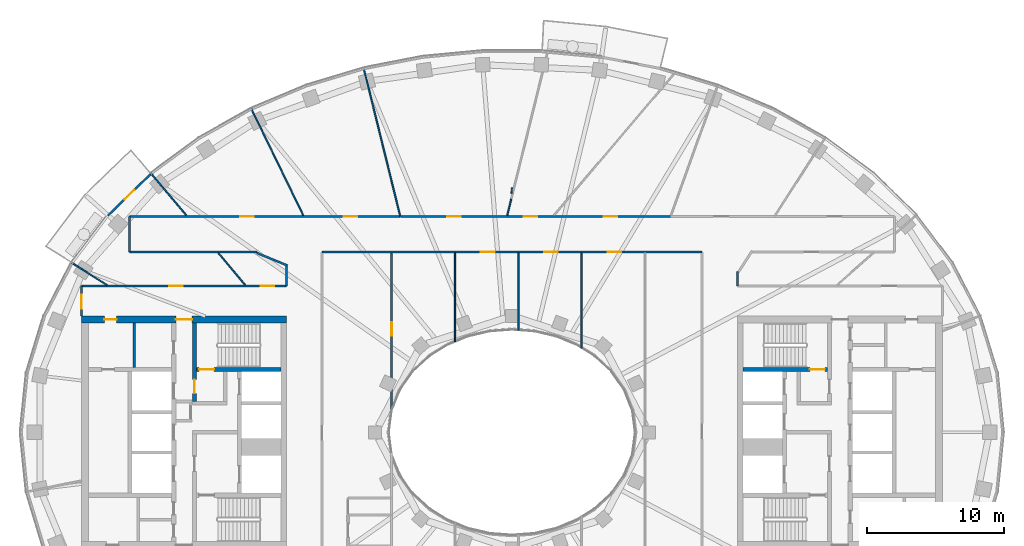
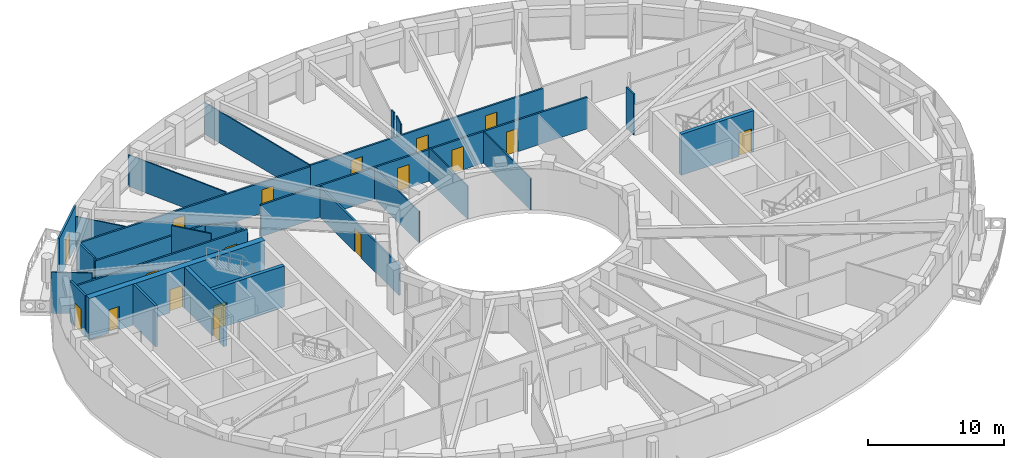
# One storey, part 6 of 16: 27 walls, 18 doors, 18 openings.
"""IFC4 building model written with IfcOpenShell, lengths in metres."""

import ifcopenshell
import ifcopenshell.guid

model = None  # the IFC model being written
_history = None  # IfcOwnerHistory: only IFC2X3 demands one
_inside = {}  # id of a spatial element -> (the spatial element, [elements in it])
_under = {}  # id of a project, library or spatial element -> (it, [spatial elements below it])
_declared = {}  # id of a project -> (the project, [libraries it declares])
_typed = {}  # id of a type object -> (the type object, [elements of that type])
_made_of = {}  # id of a material, layer set ... -> (it, [elements and type objects made of it])


def new_model(schema):
    """Start an empty IFC model of exactly this schema.

    Asked for "IFC4X3", IfcOpenShell would pick the latest addendum, in which some entities
    have other attributes; the version numbers below select the first issue.
    IFC2X3 requires an IfcOwnerHistory on every rooted entity: one is made here for all.
    """
    global model, _history
    if schema == "IFC4X3":
        model = ifcopenshell.file(schema_version=(4, 3, 0, 0))
    else:
        model = ifcopenshell.file(schema=schema)
    _inside.clear()
    _under.clear()
    _declared.clear()
    _typed.clear()
    _made_of.clear()
    _history = None
    if model.schema == "IFC2X3":
        org = make("IfcOrganization", Name="unknown")
        user = make(
            "IfcPersonAndOrganization",
            ThePerson=make("IfcPerson", FamilyName="unknown"),
            TheOrganization=org,
        )
        app = make(
            "IfcApplication",
            ApplicationDeveloper=org,
            Version="unknown",
            ApplicationFullName="unknown",
            ApplicationIdentifier="unknown",
        )
        _history = make(
            "IfcOwnerHistory",
            OwningUser=user,
            OwningApplication=app,
            ChangeAction="ADDED",
            CreationDate=0,
        )
    return model


def make(cls, **values):
    """One entity of the class cls with the attributes given. An attribute that is None is left unset."""
    return model.create_entity(
        cls, **{name: value for name, value in values.items() if value is not None}
    )


def rooted(cls, **values):
    """An entity with a GlobalId (a new one), such as an element, a storey or a relation."""
    return make(cls, GlobalId=ifcopenshell.guid.new(), OwnerHistory=_history, **values)


def si_unit(unit_type, name, prefix=None):
    """IfcSIUnit, for example si_unit("LENGTHUNIT", "METRE", prefix="MILLI")."""
    return make("IfcSIUnit", UnitType=unit_type, Prefix=prefix, Name=name)


def assignment(units):
    """IfcUnitAssignment: the units of a project."""
    return None if units is None else make("IfcUnitAssignment", Units=units)


def point(xyz):
    """IfcCartesianPoint."""
    return None if xyz is None else make("IfcCartesianPoint", Coordinates=xyz)


def direction(xyz):
    """IfcDirection."""
    return None if xyz is None else make("IfcDirection", DirectionRatios=xyz)


def frame(location, z_axis=None, x_axis=None):
    """IfcAxis2Placement3D, a coordinate frame: its origin and axes. An axis left out is left unset."""
    return make(
        "IfcAxis2Placement3D",
        Location=point(location),
        Axis=direction(z_axis),
        RefDirection=direction(x_axis),
    )


def frame_2d(location, x_axis=None):
    """IfcAxis2Placement2D, a coordinate frame in the plane: its origin and x axis."""
    return make(
        "IfcAxis2Placement2D", Location=point(location), RefDirection=direction(x_axis)
    )


def origin():
    """The frame at (0, 0, 0) with its axes left unset."""
    return frame((0.0, 0.0, 0.0))


def place(relative_to, where):
    """IfcLocalPlacement: puts the frame where relative to a parent placement (None: the world)."""
    return make(
        "IfcLocalPlacement", PlacementRelTo=relative_to, RelativePlacement=where
    )


def context(
    kind, dimensions, precision=None, world=None, true_north=None, identifier=None
):
    """IfcGeometricRepresentationContext, for example the 3D "Model" context."""
    return make(
        "IfcGeometricRepresentationContext",
        ContextIdentifier=identifier,
        ContextType=kind,
        CoordinateSpaceDimension=dimensions,
        Precision=precision,
        WorldCoordinateSystem=world,
        TrueNorth=true_north,
    )


def subcontext(parent, identifier, kind, view, scale=None):
    """IfcGeometricRepresentationSubContext, for example "Body" below "Model"."""
    return make(
        "IfcGeometricRepresentationSubContext",
        ContextIdentifier=identifier,
        ContextType=kind,
        ParentContext=parent,
        TargetScale=scale,
        TargetView=view,
    )


def project(units=None, contexts=None):
    """IfcProject with its units and contexts."""
    return rooted(
        "IfcProject",
        Name="project",
        RepresentationContexts=contexts,
        UnitsInContext=assignment(units),
    )


def spatial(cls, under=None, at=None, **own):
    """A site, building, storey or space (cls), placed at a placement, below another one or the project."""
    s = rooted(cls, ObjectPlacement=at, **own)
    if under is not None:
        _under.setdefault(under.id(), (under, []))[1].append(s)
    return s


def profile(cls, at=None, kind="AREA", **sizes):
    """A parametric profile (cls). Its sizes go by their IFC names, for example OverallWidth=200.0."""
    return make(cls, ProfileType=kind, Position=at, **sizes)


def rectangle(**sizes):
    """IfcRectangleProfileDef."""
    return profile("IfcRectangleProfileDef", **sizes)


def extrude(swept, where, along, depth):
    """IfcExtrudedAreaSolid: the profile swept, set in the frame where, extruded along a direction by depth."""
    return make(
        "IfcExtrudedAreaSolid",
        SweptArea=swept,
        Position=where,
        ExtrudedDirection=direction(along),
        Depth=depth,
    )


def shape(context_of_items, identifier, shape_type, items):
    """IfcShapeRepresentation: the items that make up one representation, for example the "Body"."""
    return make(
        "IfcShapeRepresentation",
        ContextOfItems=context_of_items,
        RepresentationIdentifier=identifier,
        RepresentationType=shape_type,
        Items=items,
    )


def material(Name=None, Category=None):
    """IfcMaterial."""
    return make("IfcMaterial", Name=Name, Category=Category)


def layer(
    of_material, thickness, ventilated=None, Name=None, Category=None, Priority=None
):
    """IfcMaterialLayer: one layer of a wall or slab, of a material (None: an air gap)."""
    return make(
        "IfcMaterialLayer",
        Material=of_material,
        LayerThickness=thickness,
        IsVentilated=ventilated,
        Name=Name,
        Category=Category,
        Priority=Priority,
    )


def layer_set(layers, Name=None):
    """IfcMaterialLayerSet."""
    return make("IfcMaterialLayerSet", MaterialLayers=layers, LayerSetName=Name)


def made_of(thing, what):
    """Note that an element or type object is made of a material, layer set ...; save() writes the relation."""
    if what is not None:
        _made_of.setdefault(what.id(), (what, []))[1].append(thing)
    return thing


def type_object(cls, material=None, **own):
    """A type object (cls), such as IfcWallType, which elements share."""
    return made_of(rooted(cls, **own), material)


def element(
    cls,
    number,
    at=None,
    inside=None,
    cuts=None,
    type_object=None,
    material=None,
    context=None,
    identifier="Body",
    shape_type=None,
    held_by="IfcProductDefinitionShape",
    body=None,
    shapes=None,
    **own,
):
    """One element of the class cls, such as IfcWall. Its Tag is "e" and its number.

    at: its placement. inside: the storey or other place that contains it. cuts: it is an
    opening in that element (IfcRelVoidsElement). A single representation is given by context,
    identifier, shape_type and body (its items); several are given by shapes. held_by: the class
    of the entity that holds the representations. save() writes the other relations.
    """
    e = rooted(cls, Tag="e%d" % number, ObjectPlacement=at, **own)
    if body is not None:
        shapes = [shape(context, identifier, shape_type, body)]
    if shapes is not None:
        e.Representation = make(held_by, Representations=shapes)
    if inside is not None:
        _inside.setdefault(inside.id(), (inside, []))[1].append(e)
    if cuts is not None:
        rooted(
            "IfcRelVoidsElement", RelatingBuildingElement=cuts, RelatedOpeningElement=e
        )
    if type_object is not None:
        _typed.setdefault(type_object.id(), (type_object, []))[1].append(e)
    return made_of(e, material)


def fill(opening, filler):
    """IfcRelFillsElement: the door or window that sits in an opening."""
    return rooted(
        "IfcRelFillsElement",
        RelatingOpeningElement=opening,
        RelatedBuildingElement=filler,
    )


def aggregate(whole, parts):
    """IfcRelAggregates: a whole, such as a stair, and the parts it consists of."""
    return rooted("IfcRelAggregates", RelatingObject=whole, RelatedObjects=parts)


def save(model, path):
    """Write the relations noted so far, then the file.

    IfcRelAggregates (storeys below a building ...), IfcRelContainedInSpatialStructure (elements
    in a storey), IfcRelDefinesByType, IfcRelAssociatesMaterial and IfcRelDeclares: one each for
    every whole, place, type object, material and project.
    """
    for whole, parts in _under.values():
        aggregate(whole, parts)
    for where, things in _inside.values():
        rooted(
            "IfcRelContainedInSpatialStructure",
            RelatedElements=things,
            RelatingStructure=where,
        )
    for kind, things in _typed.values():
        rooted("IfcRelDefinesByType", RelatedObjects=things, RelatingType=kind)
    for what, things in _made_of.values():
        rooted("IfcRelAssociatesMaterial", RelatedObjects=things, RelatingMaterial=what)
    for by, libraries in _declared.values():
        rooted("IfcRelDeclares", RelatingContext=by, RelatedDefinitions=libraries)
    model.write(path)


model = new_model("IFC4")

# Units and contexts
model_context = context("Model", 3, precision=1e-05, world=origin(), true_north=direction((0.0, 1.0)))
body_context = subcontext(model_context, "Body", "Model", "MODEL_VIEW")
ifc_project = project(units=[si_unit("LENGTHUNIT", "METRE"), si_unit("AREAUNIT", "SQUARE_METRE"), si_unit("VOLUMEUNIT", "CUBIC_METRE"), si_unit("PLANEANGLEUNIT", "RADIAN"), si_unit("MASSUNIT", "GRAM", prefix="KILO")], contexts=[model_context])

# Site, building, storey
site_placement = place(None, origin())
site = spatial("IfcSite", under=ifc_project, at=site_placement, CompositionType="ELEMENT")
building_placement = place(site_placement, origin())
building = spatial("IfcBuilding", under=site, at=building_placement, Name="Noorbagh Ring Tower", CompositionType="ELEMENT")
storey_placement = place(building_placement, frame((0.0, 0.0, 273.5)))
storey = spatial("IfcBuildingStorey", under=building, at=storey_placement, Name="L58", CompositionType="ELEMENT", Elevation=273.5)

# Wall
ifc_material_1 = material(Name="Gypsum board on steel studs", Category="steel")
ifc_layer_1 = layer(ifc_material_1, 0.199951171875)
ifc_layer_set_1 = layer_set([ifc_layer_1], Name="Gypsum board on steel studs")
wall_type_1 = type_object("IfcWallType", Name="CORE-PARTITION-200", PredefinedType="PARTITIONING", material=ifc_layer_set_1)
wall_1_placement = place(storey_placement, frame((-27.64990234375, 4.75, 0.0), z_axis=(0.0, 0.0, 1.0), x_axis=(0.0, 1.0, 0.0)))
element("IfcWall", 1, at=wall_1_placement, inside=storey, type_object=wall_type_1, Name="Core partition W", PredefinedType="PARTITIONING", context=body_context, shape_type="SweptSolid", body=[
    extrude(rectangle(XDim=3.25, YDim=0.199951171875, at=frame_2d((1.625, 0.0))), origin(), (0.0, 0.0, 1.0), 3.699951171875),
])

# Wall, opening, door
ifc_material_2 = material(Name="Concrete C60/75", Category="concrete")
ifc_layer_2 = layer(ifc_material_2, 0.300048828125)
ifc_layer_set_2 = layer_set([ifc_layer_2], Name="Concrete C60/75")
wall_type_2 = type_object("IfcWallType", Name="CORE-WALL-300-C60-75-EI240", PredefinedType="SHEAR", material=ifc_layer_set_2)
wall_2_placement = place(storey_placement, frame((-23.22998046875, 2.25, 0.0), z_axis=(0.0, 0.0, 1.0), x_axis=(0.0, 1.0, 0.0)))
wall_2 = element("IfcWall", 2, at=wall_2_placement, inside=storey, type_object=wall_type_2, Name="Core wall W", PredefinedType="SHEAR", context=body_context, shape_type="SweptSolid", body=[
    extrude(rectangle(XDim=5.75, YDim=0.300048828125, at=frame_2d((2.875, 0.0))), origin(), (0.0, 0.0, 1.0), 3.699951171875),
])
opening_1_placement = place(wall_2_placement, frame((0.60009765625, 0.0, 0.0)))
opening_1 = element("IfcOpeningElement", 3, at=opening_1_placement, cuts=wall_2, Name="Opening L58-CW09", PredefinedType="OPENING", context=body_context, shape_type="SweptSolid", body=[
    extrude(rectangle(XDim=1.0, YDim=2.10009765625, at=frame_2d((0.5, 1.050048828125))), frame((0.0, 0.16015625, 0.0), z_axis=(0.0, -1.0, 0.0), x_axis=(1.0, 0.0, 0.0)), (0.0, 0.0, 1.0), 0.320068359375),
])
ifc_material_3 = material(Name="Steel door leaf", Category="steel")
door_type_1 = type_object("IfcDoorType", Name="CORE-DOOR-DVEST", OperationType="SINGLE_SWING_LEFT", PredefinedType="DOOR", material=ifc_material_3)
door_1_placement = place(opening_1_placement, origin())
door_1 = element("IfcDoor", 4, at=door_1_placement, inside=storey, type_object=door_type_1, Name="Stair vestibule door L58-CW09", OperationType="SINGLE_SWING_LEFT", OverallHeight=2.10009765625, OverallWidth=1.0, PredefinedType="DOOR", context=body_context, shape_type="SweptSolid", body=[
    extrude(rectangle(XDim=1.0, YDim=2.10009765625, at=frame_2d((0.5, 1.050048828125))), frame((0.0, 0.02490234375, 0.0), z_axis=(0.0, -1.0, 0.0), x_axis=(1.0, 0.0, 0.0)), (0.0, 0.0, 1.0), 0.050048828125),
])
fill(opening_1, door_1)

wall_3_placement = place(storey_placement, frame((-16.89990234375, 4.60009765625, 0.0), z_axis=(0.0, 0.0, 1.0), x_axis=(-1.0, 0.0, 0.0)))
wall_3 = element("IfcWall", 5, at=wall_3_placement, inside=storey, type_object=wall_type_2, Name="Core wall W", PredefinedType="SHEAR", context=body_context, shape_type="SweptSolid", body=[
    extrude(rectangle(XDim=6.18017578125, YDim=0.300048828125, at=frame_2d((3.090087890625, 0.0))), origin(), (0.0, 0.0, 1.0), 3.699951171875),
])
opening_2_placement = place(wall_3_placement, frame((4.89990234375, 0.0, 0.0)))
opening_2 = element("IfcOpeningElement", 6, at=opening_2_placement, cuts=wall_3, Name="Opening L58-CW06", PredefinedType="OPENING", context=body_context, shape_type="SweptSolid", body=[
    extrude(rectangle(XDim=1.10009765625, YDim=2.10009765625, at=frame_2d((0.550048828125, 1.050048828125))), frame((0.0, 0.16015625, 0.0), z_axis=(0.0, -1.0, 0.0), x_axis=(1.0, 0.0, 0.0)), (0.0, 0.0, 1.0), 0.320068359375),
])
ifc_material_4 = material(Name="Steel door leaf", Category="steel")
door_type_2 = type_object("IfcDoorType", Name="CORE-DOOR-DSTAIR", OperationType="SINGLE_SWING_LEFT", PredefinedType="DOOR", material=ifc_material_4)
door_2_placement = place(opening_2_placement, origin())
door_2 = element("IfcDoor", 7, at=door_2_placement, inside=storey, type_object=door_type_2, Name="Stair door ST1 L58-CW06", OperationType="SINGLE_SWING_RIGHT", OverallHeight=2.10009765625, OverallWidth=1.10009765625, PredefinedType="DOOR", context=body_context, shape_type="SweptSolid", body=[
    extrude(rectangle(XDim=1.10009765625, YDim=2.10009765625, at=frame_2d((0.550048828125, 1.050048828125))), frame((0.0, 0.02490234375, 0.0), z_axis=(0.0, -1.0, 0.0), x_axis=(1.0, 0.0, 0.0)), (0.0, 0.0, 1.0), 0.050048828125),
])
fill(opening_2, door_2)

wall_4_placement = place(storey_placement, frame((16.89990234375, 4.60009765625, 0.0), z_axis=(0.0, 0.0, 1.0), x_axis=(1.0, 0.0, 0.0)))
wall_4 = element("IfcWall", 8, at=wall_4_placement, inside=storey, type_object=wall_type_2, Name="Core wall E", PredefinedType="SHEAR", context=body_context, shape_type="SweptSolid", body=[
    extrude(rectangle(XDim=6.18017578125, YDim=0.300048828125, at=frame_2d((3.090087890625, 0.0))), origin(), (0.0, 0.0, 1.0), 3.699951171875),
])
opening_3_placement = place(wall_4_placement, frame((4.89990234375, 0.0, 0.0)))
opening_3 = element("IfcOpeningElement", 9, at=opening_3_placement, cuts=wall_4, Name="Opening L58-CE07", PredefinedType="OPENING", context=body_context, shape_type="SweptSolid", body=[
    extrude(rectangle(XDim=1.10009765625, YDim=2.10009765625, at=frame_2d((0.550048828125, 1.050048828125))), frame((0.0, 0.16015625, 0.0), z_axis=(0.0, -1.0, 0.0), x_axis=(1.0, 0.0, 0.0)), (0.0, 0.0, 1.0), 0.320068359375),
])
door_3_placement = place(opening_3_placement, origin())
door_3 = element("IfcDoor", 10, at=door_3_placement, inside=storey, type_object=door_type_2, Name="Stair door ST3 L58-CE07", OperationType="SINGLE_SWING_LEFT", OverallHeight=2.10009765625, OverallWidth=1.10009765625, PredefinedType="DOOR", context=body_context, shape_type="SweptSolid", body=[
    extrude(rectangle(XDim=1.10009765625, YDim=2.10009765625, at=frame_2d((0.550048828125, 1.050048828125))), frame((0.0, 0.02490234375, 0.0), z_axis=(0.0, -1.0, 0.0), x_axis=(1.0, 0.0, 0.0)), (0.0, 0.0, 1.0), 0.050048828125),
])
fill(opening_3, door_3)

# Wall, openings, doors
ifc_material_5 = material(Name="Concrete C60/75", Category="concrete")
ifc_layer_3 = layer(ifc_material_5, 0.5)
ifc_layer_set_3 = layer_set([ifc_layer_3], Name="Concrete C60/75")
wall_type_3 = type_object("IfcWallType", Name="CORE-WALL-500-C60-75-EI240", PredefinedType="SHEAR", material=ifc_layer_set_3)
wall_5_placement = place(storey_placement, frame((-16.5, 8.25, 0.0), z_axis=(0.0, 0.0, 1.0), x_axis=(-1.0, 0.0, 0.0)))
wall_5 = element("IfcWall", 11, at=wall_5_placement, inside=storey, type_object=wall_type_3, Name="Core wall W", PredefinedType="SHEAR", context=body_context, shape_type="SweptSolid", body=[
    extrude(rectangle(XDim=15.0, YDim=0.5, at=frame_2d((7.5, 0.0))), origin(), (0.0, 0.0, 1.0), 3.699951171875),
])
opening_4_placement = place(wall_5_placement, frame((6.89990234375, 0.0, 0.0)))
opening_4 = element("IfcOpeningElement", 12, at=opening_4_placement, cuts=wall_5, Name="Opening L58-CW10", PredefinedType="OPENING", context=body_context, shape_type="SweptSolid", body=[
    extrude(rectangle(XDim=1.199951171875, YDim=2.10009765625, at=frame_2d((0.60009765625, 1.050048828125))), frame((0.0, 0.260009765625, 0.0), z_axis=(0.0, -1.0, 0.0), x_axis=(1.0, 0.0, 0.0)), (0.0, 0.0, 1.0), 0.52001953125),
])
opening_5_placement = place(wall_5_placement, frame((12.425048828125, 0.0, 0.0)))
opening_5 = element("IfcOpeningElement", 13, at=opening_5_placement, cuts=wall_5, Name="Opening L58-CW13", PredefinedType="OPENING", context=body_context, shape_type="SweptSolid", body=[
    extrude(rectangle(XDim=0.89990234375, YDim=2.10009765625, at=frame_2d((0.449951171875, 1.050048828125))), frame((0.0, 0.260009765625, 0.0), z_axis=(0.0, -1.0, 0.0), x_axis=(1.0, 0.0, 0.0)), (0.0, 0.0, 1.0), 0.52001953125),
])
ifc_material_6 = material(Name="Steel door leaf", Category="steel")
door_type_3 = type_object("IfcDoorType", Name="CORE-DOOR-DROOM", OperationType="SINGLE_SWING_LEFT", PredefinedType="DOOR", material=ifc_material_6)
door_4_placement = place(opening_5_placement, origin())
door_4 = element("IfcDoor", 14, at=door_4_placement, inside=storey, type_object=door_type_3, Name="Core room door L58-CW13", OperationType="SINGLE_SWING_RIGHT", OverallHeight=2.10009765625, OverallWidth=0.89990234375, PredefinedType="DOOR", context=body_context, shape_type="SweptSolid", body=[
    extrude(rectangle(XDim=0.89990234375, YDim=2.10009765625, at=frame_2d((0.449951171875, 1.050048828125))), frame((0.0, 0.02490234375, 0.0), z_axis=(0.0, -1.0, 0.0), x_axis=(1.0, 0.0, 0.0)), (0.0, 0.0, 1.0), 0.050048828125),
])
fill(opening_5, door_4)
ifc_material_7 = material(Name="Steel door leaf", Category="steel")
door_type_4 = type_object("IfcDoorType", Name="CORE-DOOR-PORT", OperationType="DOUBLE_DOOR_DOUBLE_SWING", PredefinedType="DOOR", material=ifc_material_7)
door_5_placement = place(opening_4_placement, origin())
door_5 = element("IfcDoor", 15, at=door_5_placement, inside=storey, type_object=door_type_4, Name="Core entrance door L58-CW10", OperationType="DOUBLE_DOOR_DOUBLE_SWING", OverallHeight=2.10009765625, OverallWidth=1.199951171875, PredefinedType="DOOR", context=body_context, shape_type="SweptSolid", body=[
    extrude(rectangle(XDim=1.199951171875, YDim=2.10009765625, at=frame_2d((0.60009765625, 1.050048828125))), frame((0.0, 0.02490234375, 0.0), z_axis=(0.0, -1.0, 0.0), x_axis=(1.0, 0.0, 0.0)), (0.0, 0.0, 1.0), 0.050048828125),
])
fill(opening_4, door_5)

# Wall, opening, door
ifc_material_8 = material(Name="Gypsum board on steel studs", Category="steel")
ifc_layer_4 = layer(ifc_material_8, 0.14990234375)
ifc_layer_set_4 = layer_set([ifc_layer_4], Name="Gypsum board on steel studs")
wall_type_4 = type_object("IfcWallType", Name="CORRIDOR PARTITION 150 EI 30", PredefinedType="PARTITIONING", material=ifc_layer_set_4)
wall_6_placement = place(storey_placement, frame((-31.5, 8.5, 0.0), z_axis=(0.0, 0.0, 1.0), x_axis=(0.0, 1.0, 0.0)))
wall_6 = element("IfcWall", 16, at=wall_6_placement, inside=storey, type_object=wall_type_4, Name="L58/wall/P06", PredefinedType="PARTITIONING", context=body_context, shape_type="SweptSolid", body=[
    extrude(rectangle(XDim=2.199951171875, YDim=0.14990234375, at=frame_2d((1.10009765625, 0.0))), origin(), (0.0, 0.0, 1.0), 3.699951171875),
])
opening_6_placement = place(wall_6_placement, frame((0.550048828125, 0.0, 0.0)))
opening_6 = element("IfcOpeningElement", 17, at=opening_6_placement, cuts=wall_6, Name="Opening D1", PredefinedType="OPENING", context=body_context, shape_type="SweptSolid", body=[
    extrude(rectangle(XDim=1.0, YDim=2.10009765625, at=frame_2d((0.5, 1.050048828125))), frame((0.0, 0.0849609375, 0.0), z_axis=(0.0, -1.0, 0.0), x_axis=(1.0, 0.0, 0.0)), (0.0, 0.0, 1.0), 0.169921875),
])
ifc_material_9 = material(Name="Timber, painted", Category="wood")
door_type_5 = type_object("IfcDoorType", Name="DOOR 1000 X 2100 FD30", OperationType="SINGLE_SWING_LEFT", PredefinedType="DOOR", material=ifc_material_9)
door_6_placement = place(opening_6_placement, origin())
door_6 = element("IfcDoor", 18, at=door_6_placement, inside=storey, type_object=door_type_5, Name="L58-D07", OperationType="SINGLE_SWING_LEFT", OverallHeight=2.10009765625, OverallWidth=1.0, PredefinedType="DOOR", context=body_context, shape_type="SweptSolid", body=[
    extrude(rectangle(XDim=1.0, YDim=2.10009765625, at=frame_2d((0.5, 1.050048828125))), frame((0.0, 0.02490234375, 0.0), z_axis=(0.0, -1.0, 0.0), x_axis=(1.0, 0.0, 0.0)), (0.0, 0.0, 1.0), 0.050048828125),
])
fill(opening_6, door_6)

# Wall, openings, doors
wall_7_placement = place(storey_placement, frame((-31.5, 10.699951171875, 0.0), z_axis=(0.0, 0.0, 1.0), x_axis=(1.0, 0.0, 0.0)))
wall_7 = element("IfcWall", 19, at=wall_7_placement, inside=storey, type_object=wall_type_4, Name="L58/wall/P07", PredefinedType="PARTITIONING", context=body_context, shape_type="SweptSolid", body=[
    extrude(rectangle(XDim=15.0, YDim=0.14990234375, at=frame_2d((7.5, 0.0))), origin(), (0.0, 0.0, 1.0), 3.10009765625),
])
opening_7_placement = place(wall_7_placement, frame((6.405029296875, 0.0, 0.0)))
opening_7 = element("IfcOpeningElement", 20, at=opening_7_placement, cuts=wall_7, Name="Opening D1", PredefinedType="OPENING", context=body_context, shape_type="SweptSolid", body=[
    extrude(rectangle(XDim=1.0, YDim=2.10009765625, at=frame_2d((0.5, 1.050048828125))), frame((0.0, 0.0849609375, 0.0), z_axis=(0.0, -1.0, 0.0), x_axis=(1.0, 0.0, 0.0)), (0.0, 0.0, 1.0), 0.169921875),
])
opening_8_placement = place(wall_7_placement, frame((13.10009765625, 0.0, 0.0)))
opening_8 = element("IfcOpeningElement", 21, at=opening_8_placement, cuts=wall_7, Name="Opening D1", PredefinedType="OPENING", context=body_context, shape_type="SweptSolid", body=[
    extrude(rectangle(XDim=1.0, YDim=2.10009765625, at=frame_2d((0.5, 1.050048828125))), frame((0.0, 0.0849609375, 0.0), z_axis=(0.0, -1.0, 0.0), x_axis=(1.0, 0.0, 0.0)), (0.0, 0.0, 1.0), 0.169921875),
])
door_7_placement = place(opening_7_placement, origin())
door_7 = element("IfcDoor", 22, at=door_7_placement, inside=storey, type_object=door_type_5, Name="L58-D09", OperationType="SINGLE_SWING_LEFT", OverallHeight=2.10009765625, OverallWidth=1.0, PredefinedType="DOOR", context=body_context, shape_type="SweptSolid", body=[
    extrude(rectangle(XDim=1.0, YDim=2.10009765625, at=frame_2d((0.5, 1.050048828125))), frame((0.0, 0.02490234375, 0.0), z_axis=(0.0, -1.0, 0.0), x_axis=(1.0, 0.0, 0.0)), (0.0, 0.0, 1.0), 0.050048828125),
])
fill(opening_7, door_7)
door_8_placement = place(opening_8_placement, origin())
door_8 = element("IfcDoor", 23, at=door_8_placement, inside=storey, type_object=door_type_5, Name="L58-D13", OperationType="SINGLE_SWING_LEFT", OverallHeight=2.10009765625, OverallWidth=1.0, PredefinedType="DOOR", context=body_context, shape_type="SweptSolid", body=[
    extrude(rectangle(XDim=1.0, YDim=2.10009765625, at=frame_2d((0.5, 1.050048828125))), frame((0.0, 0.02490234375, 0.0), z_axis=(0.0, -1.0, 0.0), x_axis=(1.0, 0.0, 0.0)), (0.0, 0.0, 1.0), 0.050048828125),
])
fill(opening_8, door_8)

# Walls
wall_8_placement = place(storey_placement, frame((-28.0, 13.199951171875, 0.0), z_axis=(0.0, 0.0, 1.0), x_axis=(0.0, 1.0, 0.0)))
element("IfcWall", 24, at=wall_8_placement, inside=storey, type_object=wall_type_4, Name="L58/wall/P11", PredefinedType="PARTITIONING", context=body_context, shape_type="SweptSolid", body=[
    extrude(rectangle(XDim=2.60009765625, YDim=0.14990234375, at=frame_2d((1.300048828125, 0.0))), origin(), (0.0, 0.0, 1.0), 3.0),
])
wall_9_placement = place(storey_placement, frame((-28.0, 13.199951171875, 0.0), z_axis=(0.0, 0.0, 1.0), x_axis=(1.0, 0.0, 0.0)))
element("IfcWall", 25, at=wall_9_placement, inside=storey, type_object=wall_type_4, Name="L58/wall/P12", PredefinedType="PARTITIONING", context=body_context, shape_type="SweptSolid", body=[
    extrude(rectangle(XDim=9.346923828125, YDim=0.14990234375, at=frame_2d((4.67333984375, 0.0))), origin(), (0.0, 0.0, 1.0), 2.75),
])

# Wall, openings, doors
wall_10_placement = place(storey_placement, frame((-28.0, 15.800048828125, 0.0), z_axis=(0.0, 0.0, 1.0), x_axis=(1.0, 0.0, 0.0)))
wall_10 = element("IfcWall", 26, at=wall_10_placement, inside=storey, type_object=wall_type_4, Name="L58/wall/P13", PredefinedType="PARTITIONING", context=body_context, shape_type="SweptSolid", body=[
    extrude(rectangle(XDim=19.80908203125, YDim=0.14990234375, at=frame_2d((9.904541015625, 0.0))), origin(), (0.0, 0.0, 1.0), 2.75),
])
opening_9_placement = place(wall_10_placement, frame((8.118896484375, 0.0, 0.0)))
opening_9 = element("IfcOpeningElement", 27, at=opening_9_placement, cuts=wall_10, Name="Opening D1", PredefinedType="OPENING", context=body_context, shape_type="SweptSolid", body=[
    extrude(rectangle(XDim=1.0, YDim=2.10009765625, at=frame_2d((0.5, 1.050048828125))), frame((0.0, 0.0849609375, 0.0), z_axis=(0.0, -1.0, 0.0), x_axis=(1.0, 0.0, 0.0)), (0.0, 0.0, 1.0), 0.169921875),
])
opening_10_placement = place(wall_10_placement, frame((15.676025390625, 0.0, 0.0)))
opening_10 = element("IfcOpeningElement", 28, at=opening_10_placement, cuts=wall_10, Name="Opening D1", PredefinedType="OPENING", context=body_context, shape_type="SweptSolid", body=[
    extrude(rectangle(XDim=1.0, YDim=2.10009765625, at=frame_2d((0.5, 1.050048828125))), frame((0.0, 0.0849609375, 0.0), z_axis=(0.0, -1.0, 0.0), x_axis=(1.0, 0.0, 0.0)), (0.0, 0.0, 1.0), 0.169921875),
])
door_9_placement = place(opening_9_placement, origin())
door_9 = element("IfcDoor", 29, at=door_9_placement, inside=storey, type_object=door_type_5, Name="L58-D11", OperationType="SINGLE_SWING_LEFT", OverallHeight=2.10009765625, OverallWidth=1.0, PredefinedType="DOOR", context=body_context, shape_type="SweptSolid", body=[
    extrude(rectangle(XDim=1.0, YDim=2.10009765625, at=frame_2d((0.5, 1.050048828125))), frame((0.0, 0.02490234375, 0.0), z_axis=(0.0, -1.0, 0.0), x_axis=(1.0, 0.0, 0.0)), (0.0, 0.0, 1.0), 0.050048828125),
])
fill(opening_9, door_9)
door_10_placement = place(opening_10_placement, origin())
door_10 = element("IfcDoor", 30, at=door_10_placement, inside=storey, type_object=door_type_5, Name="L58-D15", OperationType="SINGLE_SWING_LEFT", OverallHeight=2.10009765625, OverallWidth=1.0, PredefinedType="DOOR", context=body_context, shape_type="SweptSolid", body=[
    extrude(rectangle(XDim=1.0, YDim=2.10009765625, at=frame_2d((0.5, 1.050048828125))), frame((0.0, 0.02490234375, 0.0), z_axis=(0.0, -1.0, 0.0), x_axis=(1.0, 0.0, 0.0)), (0.0, 0.0, 1.0), 0.050048828125),
])
fill(opening_10, door_10)

# Walls
wall_11_placement = place(storey_placement, frame((-18.6640625, 13.123046875, 0.0), z_axis=(0.0, 0.0, 1.0), x_axis=(0.925590432986, -0.378526551731, 0.0)))
element("IfcWall", 31, at=wall_11_placement, inside=storey, type_object=wall_type_4, Name="L58/wall/P21", PredefinedType="PARTITIONING", context=body_context, shape_type="SweptSolid", body=[
    extrude(rectangle(XDim=2.414794921875, YDim=0.14990234375, at=frame_2d((1.20751953125, 0.0))), origin(), (0.0, 0.0, 1.0), 2.75),
])
wall_12_placement = place(storey_placement, frame((-16.5, 10.699951171875, 0.0), z_axis=(0.0, 0.0, 1.0), x_axis=(0.0, 1.0, 0.0)))
element("IfcWall", 32, at=wall_12_placement, inside=storey, type_object=wall_type_4, Name="L58/wall/P23", PredefinedType="PARTITIONING", context=body_context, shape_type="SweptSolid", body=[
    extrude(rectangle(XDim=1.45703125, YDim=0.14990234375, at=frame_2d((0.728515625, 0.0))), origin(), (0.0, 0.0, 1.0), 2.75),
])

# Wall, openings, doors
wall_13_placement = place(storey_placement, frame((-13.89990234375, 13.199951171875, 0.0), z_axis=(0.0, 0.0, 1.0), x_axis=(1.0, 0.0, 0.0)))
wall_13 = element("IfcWall", 33, at=wall_13_placement, inside=storey, type_object=wall_type_4, Name="L58/wall/P26", PredefinedType="PARTITIONING", context=body_context, shape_type="SweptSolid", body=[
    extrude(rectangle(XDim=27.7998046875, YDim=0.14990234375, at=frame_2d((13.89990234375, 0.0))), origin(), (0.0, 0.0, 1.0), 2.85009765625),
])
opening_11_placement = place(wall_13_placement, frame((11.6298828125, 0.0, 0.0)))
opening_11 = element("IfcOpeningElement", 34, at=opening_11_placement, cuts=wall_13, Name="Opening D1", PredefinedType="OPENING", context=body_context, shape_type="SweptSolid", body=[
    extrude(rectangle(XDim=1.0, YDim=2.10009765625, at=frame_2d((0.5, 1.050048828125))), frame((0.0, 0.0849609375, 0.0), z_axis=(0.0, -1.0, 0.0), x_axis=(1.0, 0.0, 0.0)), (0.0, 0.0, 1.0), 0.169921875),
])
opening_12_placement = place(wall_13_placement, frame((16.262939453125, 0.0, 0.0)))
opening_12 = element("IfcOpeningElement", 35, at=opening_12_placement, cuts=wall_13, Name="Opening D1", PredefinedType="OPENING", context=body_context, shape_type="SweptSolid", body=[
    extrude(rectangle(XDim=1.0, YDim=2.10009765625, at=frame_2d((0.5, 1.050048828125))), frame((0.0, 0.0849609375, 0.0), z_axis=(0.0, -1.0, 0.0), x_axis=(1.0, 0.0, 0.0)), (0.0, 0.0, 1.0), 0.169921875),
])
opening_13_placement = place(wall_13_placement, frame((20.89697265625, 0.0, 0.0)))
opening_13 = element("IfcOpeningElement", 36, at=opening_13_placement, cuts=wall_13, Name="Opening D1", PredefinedType="OPENING", context=body_context, shape_type="SweptSolid", body=[
    extrude(rectangle(XDim=1.0, YDim=2.10009765625, at=frame_2d((0.5, 1.050048828125))), frame((0.0, 0.0849609375, 0.0), z_axis=(0.0, -1.0, 0.0), x_axis=(1.0, 0.0, 0.0)), (0.0, 0.0, 1.0), 0.169921875),
])
door_11_placement = place(opening_11_placement, origin())
door_11 = element("IfcDoor", 37, at=door_11_placement, inside=storey, type_object=door_type_5, Name="L58-D31", OperationType="SINGLE_SWING_LEFT", OverallHeight=2.10009765625, OverallWidth=1.0, PredefinedType="DOOR", context=body_context, shape_type="SweptSolid", body=[
    extrude(rectangle(XDim=1.0, YDim=2.10009765625, at=frame_2d((0.5, 1.050048828125))), frame((0.0, 0.02490234375, 0.0), z_axis=(0.0, -1.0, 0.0), x_axis=(1.0, 0.0, 0.0)), (0.0, 0.0, 1.0), 0.050048828125),
])
fill(opening_11, door_11)
door_12_placement = place(opening_12_placement, origin())
door_12 = element("IfcDoor", 38, at=door_12_placement, inside=storey, type_object=door_type_5, Name="L58-D33", OperationType="SINGLE_SWING_LEFT", OverallHeight=2.10009765625, OverallWidth=1.0, PredefinedType="DOOR", context=body_context, shape_type="SweptSolid", body=[
    extrude(rectangle(XDim=1.0, YDim=2.10009765625, at=frame_2d((0.5, 1.050048828125))), frame((0.0, 0.02490234375, 0.0), z_axis=(0.0, -1.0, 0.0), x_axis=(1.0, 0.0, 0.0)), (0.0, 0.0, 1.0), 0.050048828125),
])
fill(opening_12, door_12)
door_13_placement = place(opening_13_placement, origin())
door_13 = element("IfcDoor", 39, at=door_13_placement, inside=storey, type_object=door_type_5, Name="L58-D34", OperationType="SINGLE_SWING_RIGHT", OverallHeight=2.10009765625, OverallWidth=1.0, PredefinedType="DOOR", context=body_context, shape_type="SweptSolid", body=[
    extrude(rectangle(XDim=1.0, YDim=2.10009765625, at=frame_2d((0.5, 1.050048828125))), frame((0.0, 0.02490234375, 0.0), z_axis=(0.0, -1.0, 0.0), x_axis=(1.0, 0.0, 0.0)), (0.0, 0.0, 1.0), 0.050048828125),
])
fill(opening_13, door_13)

# Wall, opening, door
wall_14_placement = place(storey_placement, frame((-8.802978515625, 1.492919921875, 0.0), z_axis=(0.0, 0.0, 1.0), x_axis=(0.0, 1.0, 0.0)))
wall_14 = element("IfcWall", 40, at=wall_14_placement, inside=storey, type_object=wall_type_4, Name="L58/wall/P38", PredefinedType="PARTITIONING", context=body_context, shape_type="SweptSolid", body=[
    extrude(rectangle(XDim=11.632080078125, YDim=0.14990234375, at=frame_2d((5.81591796875, 0.0))), origin(), (0.0, 0.0, 1.0), 2.75),
])
opening_14_placement = place(wall_14_placement, frame((5.55908203125, 0.0, 0.0)))
opening_14 = element("IfcOpeningElement", 41, at=opening_14_placement, cuts=wall_14, Name="Opening D1", PredefinedType="OPENING", context=body_context, shape_type="SweptSolid", body=[
    extrude(rectangle(XDim=1.0, YDim=2.10009765625, at=frame_2d((0.5, 1.050048828125))), frame((0.0, 0.0849609375, 0.0), z_axis=(0.0, -1.0, 0.0), x_axis=(1.0, 0.0, 0.0)), (0.0, 0.0, 1.0), 0.169921875),
])
door_14_placement = place(opening_14_placement, origin())
door_14 = element("IfcDoor", 42, at=door_14_placement, inside=storey, type_object=door_type_5, Name="L58-D29", OperationType="SINGLE_SWING_LEFT", OverallHeight=2.10009765625, OverallWidth=1.0, PredefinedType="DOOR", context=body_context, shape_type="SweptSolid", body=[
    extrude(rectangle(XDim=1.0, YDim=2.10009765625, at=frame_2d((0.5, 1.050048828125))), frame((0.0, 0.02490234375, 0.0), z_axis=(0.0, -1.0, 0.0), x_axis=(1.0, 0.0, 0.0)), (0.0, 0.0, 1.0), 0.050048828125),
])
fill(opening_14, door_14)

# Wall, openings, doors
wall_15_placement = place(storey_placement, frame((-8.174072265625, 15.800048828125, 0.0), z_axis=(0.0, 0.0, 1.0), x_axis=(1.0, 0.0, 0.0)))
wall_15 = element("IfcWall", 43, at=wall_15_placement, inside=storey, type_object=wall_type_4, Name="L58/wall/P41", PredefinedType="PARTITIONING", context=body_context, shape_type="SweptSolid", body=[
    extrude(rectangle(XDim=19.8291015625, YDim=0.14990234375, at=frame_2d((9.91455078125, 0.0))), origin(), (0.0, 0.0, 1.0), 2.85009765625),
])
opening_15_placement = place(wall_15_placement, frame((3.422119140625, 0.0, 0.0)))
opening_15 = element("IfcOpeningElement", 44, at=opening_15_placement, cuts=wall_15, Name="Opening D1", PredefinedType="OPENING", context=body_context, shape_type="SweptSolid", body=[
    extrude(rectangle(XDim=1.0, YDim=2.10009765625, at=frame_2d((0.5, 1.050048828125))), frame((0.0, 0.0849609375, 0.0), z_axis=(0.0, -1.0, 0.0), x_axis=(1.0, 0.0, 0.0)), (0.0, 0.0, 1.0), 0.169921875),
])
opening_16_placement = place(wall_15_placement, frame((9.0390625, 0.0, 0.0)))
opening_16 = element("IfcOpeningElement", 45, at=opening_16_placement, cuts=wall_15, Name="Opening D1", PredefinedType="OPENING", context=body_context, shape_type="SweptSolid", body=[
    extrude(rectangle(XDim=1.0, YDim=2.10009765625, at=frame_2d((0.5, 1.050048828125))), frame((0.0, 0.0849609375, 0.0), z_axis=(0.0, -1.0, 0.0), x_axis=(1.0, 0.0, 0.0)), (0.0, 0.0, 1.0), 0.169921875),
])
opening_17_placement = place(wall_15_placement, frame((14.887939453125, 0.0, 0.0)))
opening_17 = element("IfcOpeningElement", 46, at=opening_17_placement, cuts=wall_15, Name="Opening D1", PredefinedType="OPENING", context=body_context, shape_type="SweptSolid", body=[
    extrude(rectangle(XDim=1.0, YDim=2.10009765625, at=frame_2d((0.5, 1.050048828125))), frame((0.0, 0.0849609375, 0.0), z_axis=(0.0, -1.0, 0.0), x_axis=(1.0, 0.0, 0.0)), (0.0, 0.0, 1.0), 0.169921875),
])
door_15_placement = place(opening_15_placement, origin())
door_15 = element("IfcDoor", 47, at=door_15_placement, inside=storey, type_object=door_type_5, Name="L58-D17", OperationType="SINGLE_SWING_LEFT", OverallHeight=2.10009765625, OverallWidth=1.0, PredefinedType="DOOR", context=body_context, shape_type="SweptSolid", body=[
    extrude(rectangle(XDim=1.0, YDim=2.10009765625, at=frame_2d((0.5, 1.050048828125))), frame((0.0, 0.02490234375, 0.0), z_axis=(0.0, -1.0, 0.0), x_axis=(1.0, 0.0, 0.0)), (0.0, 0.0, 1.0), 0.050048828125),
])
fill(opening_15, door_15)
door_16_placement = place(opening_16_placement, origin())
door_16 = element("IfcDoor", 48, at=door_16_placement, inside=storey, type_object=door_type_5, Name="L58-D19", OperationType="SINGLE_SWING_LEFT", OverallHeight=2.10009765625, OverallWidth=1.0, PredefinedType="DOOR", context=body_context, shape_type="SweptSolid", body=[
    extrude(rectangle(XDim=1.0, YDim=2.10009765625, at=frame_2d((0.5, 1.050048828125))), frame((0.0, 0.02490234375, 0.0), z_axis=(0.0, -1.0, 0.0), x_axis=(1.0, 0.0, 0.0)), (0.0, 0.0, 1.0), 0.050048828125),
])
fill(opening_16, door_16)
door_17_placement = place(opening_17_placement, origin())
door_17 = element("IfcDoor", 49, at=door_17_placement, inside=storey, type_object=door_type_5, Name="L58-D20", OperationType="SINGLE_SWING_RIGHT", OverallHeight=2.10009765625, OverallWidth=1.0, PredefinedType="DOOR", context=body_context, shape_type="SweptSolid", body=[
    extrude(rectangle(XDim=1.0, YDim=2.10009765625, at=frame_2d((0.5, 1.050048828125))), frame((0.0, 0.02490234375, 0.0), z_axis=(0.0, -1.0, 0.0), x_axis=(1.0, 0.0, 0.0)), (0.0, 0.0, 1.0), 0.050048828125),
])
fill(opening_17, door_17)

# Wall
wall_16_placement = place(storey_placement, frame((16.5, 10.699951171875, 0.0), z_axis=(0.0, 0.0, 1.0), x_axis=(0.0, 1.0, 0.0)))
element("IfcWall", 50, at=wall_16_placement, inside=storey, type_object=wall_type_4, Name="L58/wall/P73", PredefinedType="PARTITIONING", context=body_context, shape_type="SweptSolid", body=[
    extrude(rectangle(XDim=1.054931640625, YDim=0.14990234375, at=frame_2d((0.52734375, 0.0))), origin(), (0.0, 0.0, 1.0), 3.699951171875),
])

# Wall, opening, door
ifc_material_10 = material(Name="Insulated aluminium clad panel", Category="aluminium")
ifc_layer_5 = layer(ifc_material_10, 0.14990234375)
ifc_layer_set_5 = layer_set([ifc_layer_5], Name="Insulated aluminium clad panel")
wall_type_5 = type_object("IfcWallType", Name="ENV-WALL-DOOR", PredefinedType="STANDARD", material=ifc_layer_set_5)
wall_17_placement = place(storey_placement, frame((-26.396484375, 18.943359375, 0.0), z_axis=(0.0, 0.0, 1.0), x_axis=(-0.717214761864, -0.696852197647, 0.0)))
wall_17 = element("IfcWall", 51, at=wall_17_placement, inside=storey, type_object=wall_type_5, Name="Balcony door wall chord 19", PredefinedType="STANDARD", context=body_context, shape_type="SweptSolid", body=[
    extrude(rectangle(XDim=4.424072265625, YDim=0.14990234375, at=frame_2d((2.2119140625, 0.0))), origin(), (0.0, 0.0, 1.0), 3.699951171875),
])
opening_18_placement = place(wall_17_placement, frame((1.712158203125, 0.0, 0.0)))
opening_18 = element("IfcOpeningElement", 52, at=opening_18_placement, cuts=wall_17, Name="Opening D-BL", PredefinedType="OPENING", context=body_context, shape_type="SweptSolid", body=[
    extrude(rectangle(XDim=1.0, YDim=2.39990234375, at=frame_2d((0.5, 1.199951171875))), frame((0.0, 0.0849609375, 0.0), z_axis=(0.0, -1.0, 0.0), x_axis=(1.0, 0.0, 0.0)), (0.0, 0.0, 1.0), 0.169921875),
])
ifc_material_11 = material(Name="Aluminium and glass", Category="aluminium")
door_type_6 = type_object("IfcDoorType", Name="ENV-DOOR-BALCONY", OperationType="SINGLE_SWING_LEFT", PredefinedType="DOOR", material=ifc_material_11)
door_18_placement = place(opening_18_placement, origin())
door_18 = element("IfcDoor", 53, at=door_18_placement, inside=storey, type_object=door_type_6, Name="Balcony door chord 19", OperationType="SINGLE_SWING_LEFT", OverallHeight=2.39990234375, OverallWidth=1.0, PredefinedType="DOOR", context=body_context, shape_type="SweptSolid", body=[
    extrude(rectangle(XDim=1.0, YDim=2.39990234375, at=frame_2d((0.5, 1.199951171875))), frame((0.0, 0.02490234375, 0.0), z_axis=(0.0, -1.0, 0.0), x_axis=(1.0, 0.0, 0.0)), (0.0, 0.0, 1.0), 0.050048828125),
])
fill(opening_18, door_18)

# Walls
ifc_material_12 = material(Name="Gypsum board on steel studs", Category="steel")
ifc_layer_6 = layer(ifc_material_12, 0.10009765625)
ifc_layer_set_6 = layer_set([ifc_layer_6], Name="Gypsum board on steel studs")
wall_type_6 = type_object("IfcWallType", Name="PARTITION 100 GYPSUM", PredefinedType="PARTITIONING", material=ifc_layer_set_6)
wall_18_placement = place(storey_placement, frame((-32.2119140625, 12.407958984375, 0.0), z_axis=(0.0, 0.0, 1.0), x_axis=(0.844810627195, -0.535065420467, 0.0)))
element("IfcWall", 54, at=wall_18_placement, inside=storey, type_object=wall_type_6, Name="L58/wall/P03", PredefinedType="PARTITIONING", context=body_context, shape_type="SweptSolid", body=[
    extrude(rectangle(XDim=3.0478515625, YDim=0.10009765625, at=frame_2d((1.52392578125, 0.0))), origin(), (0.0, 0.0, 1.0), 3.699951171875),
])
wall_19_placement = place(storey_placement, frame((-26.429931640625, 18.945068359375, 0.0), z_axis=(0.0, 0.0, 1.0), x_axis=(0.646323350317, -0.763063645337, 0.0)))
element("IfcWall", 55, at=wall_19_placement, inside=storey, type_object=wall_type_6, Name="L58/wall/P15", PredefinedType="PARTITIONING", context=body_context, shape_type="SweptSolid", body=[
    extrude(rectangle(XDim=4.01953125, YDim=0.10009765625, at=frame_2d((2.009765625, 0.0))), origin(), (0.0, 0.0, 1.0), 2.75),
])
wall_20_placement = place(storey_placement, frame((-21.4990234375, 13.125, 0.0), z_axis=(0.0, 0.0, 1.0), x_axis=(0.646354899778, -0.763036921474, 0.0)))
element("IfcWall", 56, at=wall_20_placement, inside=storey, type_object=wall_type_6, Name="L58/wall/P17", PredefinedType="PARTITIONING", context=body_context, shape_type="SweptSolid", body=[
    extrude(rectangle(XDim=3.07568359375, YDim=0.10009765625, at=frame_2d((1.537841796875, 0.0))), origin(), (0.0, 0.0, 1.0), 3.699951171875),
])
wall_21_placement = place(storey_placement, frame((-19.0859375, 23.68505859375, 0.0), z_axis=(0.0, 0.0, 1.0), x_axis=(0.439174872977, -0.898401597809, 0.0)))
element("IfcWall", 57, at=wall_21_placement, inside=storey, type_object=wall_type_6, Name="L58/wall/P19", PredefinedType="PARTITIONING", context=body_context, shape_type="SweptSolid", body=[
    extrude(rectangle(XDim=8.693359375, YDim=0.10009765625, at=frame_2d((4.3466796875, 0.0))), origin(), (0.0, 0.0, 1.0), 2.85009765625),
])
wall_22_placement = place(storey_placement, frame((-10.85302734375, 26.64599609375, 0.0), z_axis=(0.0, 0.0, 1.0), x_axis=(0.239794021926, -0.970823787847, 0.0)))
element("IfcWall", 58, at=wall_22_placement, inside=storey, type_object=wall_type_6, Name="L58/wall/P34", PredefinedType="PARTITIONING", context=body_context, shape_type="SweptSolid", body=[
    extrude(rectangle(XDim=11.171875, YDim=0.10009765625, at=frame_2d((5.5859375, 0.0))), origin(), (0.0, 0.0, 1.0), 2.85009765625),
])
wall_23_placement = place(storey_placement, frame((-4.169921875, 6.616943359375, 0.0), z_axis=(0.0, 0.0, 1.0), x_axis=(0.0, 1.0, 0.0)))
element("IfcWall", 59, at=wall_23_placement, inside=storey, type_object=wall_type_6, Name="L58/wall/P45", PredefinedType="PARTITIONING", context=body_context, shape_type="SweptSolid", body=[
    extrude(rectangle(XDim=6.508056640625, YDim=0.10009765625, at=frame_2d((3.25390625, 0.0))), origin(), (0.0, 0.0, 1.0), 2.85009765625),
])
wall_24_placement = place(storey_placement, frame((-0.35009765625, 15.87890625, 0.0), z_axis=(0.0, 0.0, 1.0), x_axis=(0.240720113411, 0.970594573959, 0.0)))
element("IfcWall", 60, at=wall_24_placement, inside=storey, type_object=wall_type_6, Name="L58/wall/P49", PredefinedType="PARTITIONING", context=body_context, shape_type="SweptSolid", body=[
    extrude(rectangle(XDim=1.234375, YDim=0.10009765625, at=frame_2d((0.6171875, 0.0))), origin(), (0.0, 0.0, 1.0), 3.699951171875),
])
wall_25_placement = place(storey_placement, frame((-0.030029296875, 17.47705078125, 0.0), z_axis=(0.0, 0.0, 1.0), x_axis=(0.045197383952, 0.998978076078, 0.0)))
element("IfcWall", 61, at=wall_25_placement, inside=storey, type_object=wall_type_6, Name="L58/wall/P54", PredefinedType="PARTITIONING", context=body_context, shape_type="SweptSolid", body=[
    extrude(rectangle(XDim=0.42138671875, YDim=0.10009765625, at=frame_2d((0.210693359375, 0.0))), origin(), (0.0, 0.0, 1.0), 3.699951171875),
])
wall_26_placement = place(storey_placement, frame((0.462890625, 7.468994140625, 0.0), z_axis=(0.0, 0.0, 1.0), x_axis=(0.0, 1.0, 0.0)))
element("IfcWall", 62, at=wall_26_placement, inside=storey, type_object=wall_type_6, Name="L58/wall/P56", PredefinedType="PARTITIONING", context=body_context, shape_type="SweptSolid", body=[
    extrude(rectangle(XDim=5.656005859375, YDim=0.10009765625, at=frame_2d((2.828125, 0.0))), origin(), (0.0, 0.0, 1.0), 3.0),
])
wall_27_placement = place(storey_placement, frame((5.096923828125, 6.15087890625, 0.0), z_axis=(0.0, 0.0, 1.0), x_axis=(0.0, 1.0, 0.0)))
element("IfcWall", 63, at=wall_27_placement, inside=storey, type_object=wall_type_6, Name="L58/wall/P62", PredefinedType="PARTITIONING", context=body_context, shape_type="SweptSolid", body=[
    extrude(rectangle(XDim=6.97412109375, YDim=0.10009765625, at=frame_2d((3.487060546875, 0.0))), origin(), (0.0, 0.0, 1.0), 2.85009765625),
])

save(model, "model.ifc")
